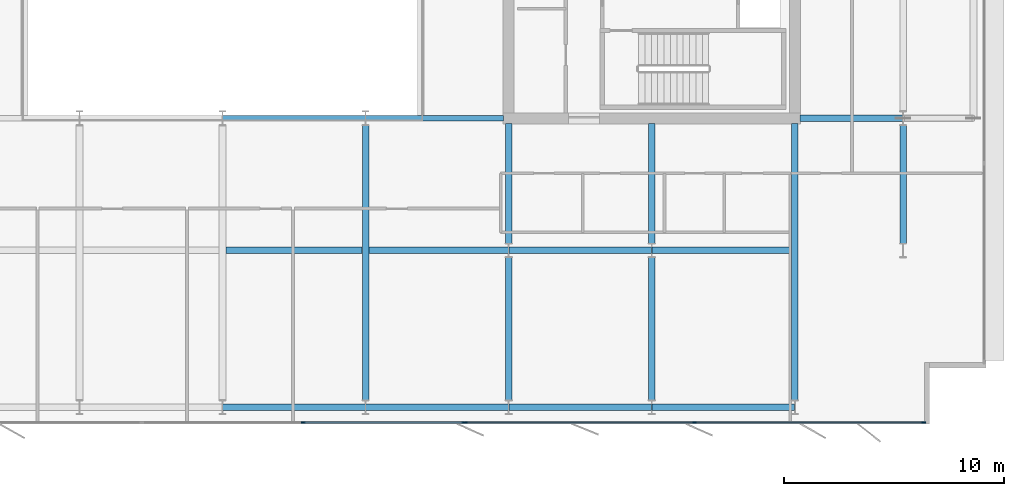
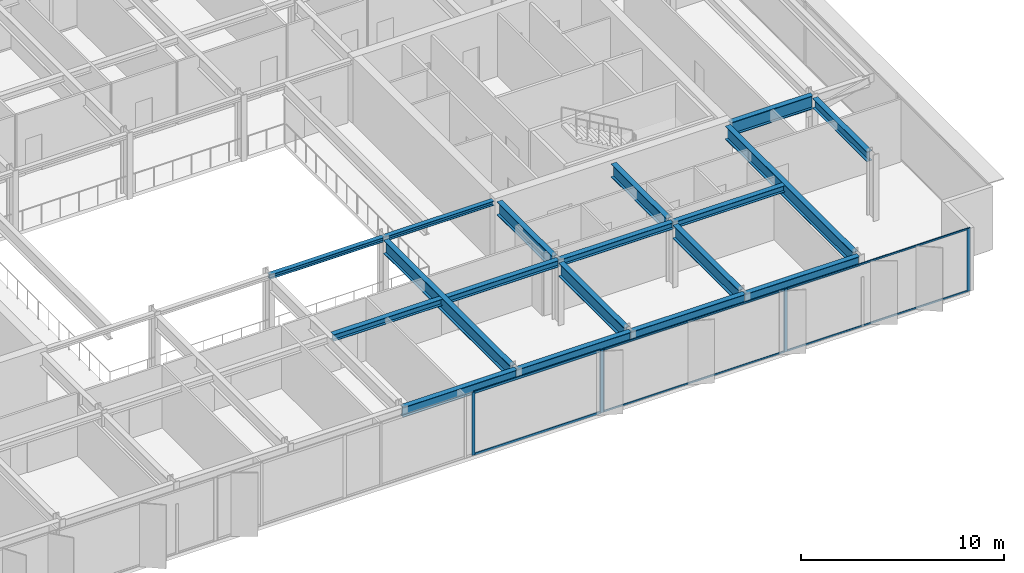
# One storey, part 6 of 20: 18 beams, 11 members, 2 elements without a shape of their own.
"""IFC4 building model written with IfcOpenShell, lengths in metres."""

from ifc_helpers import new_model, si_unit, direction, frame, origin, origin_2d, place, context, subcontext, project, spatial, rectangle, i_section, extrude, material, layer, layer_set, material_profile, profile_set, type_object, element, aggregate, save


model = new_model("IFC4")

# Units and contexts
model_context = context("Model", 3, precision=1e-05, world=origin(), true_north=direction((0.0, 1.0)))
body_context = subcontext(model_context, "Body", "Model", "MODEL_VIEW")
ifc_project = project(units=[si_unit("LENGTHUNIT", "METRE"), si_unit("AREAUNIT", "SQUARE_METRE"), si_unit("VOLUMEUNIT", "CUBIC_METRE"), si_unit("PLANEANGLEUNIT", "RADIAN"), si_unit("MASSUNIT", "GRAM", prefix="KILO")], contexts=[model_context])

# Site, building, storey
site_placement = place(None, origin())
site = spatial("IfcSite", under=ifc_project, at=site_placement, CompositionType="ELEMENT")
building_placement = place(site_placement, origin())
building = spatial("IfcBuilding", under=site, at=building_placement, Name="Putna Gate Headquarters", CompositionType="ELEMENT")
storey_placement = place(building_placement, frame((0.0, 0.0, 294.39990234375)))
storey = spatial("IfcBuildingStorey", under=building, at=storey_placement, Name="L74", CompositionType="ELEMENT", Elevation=294.39990234375)

# Beams
ifc_material_1 = material(Name="Steel S355J2", Category="steel")
ifc_material_profile_1 = material_profile(ifc_material_1, i_section(OverallWidth=0.260009765625, OverallDepth=0.260009765625, WebThickness=0.010009765625, FlangeThickness=0.017578125, at=origin_2d()), Name="Steel S355J2")
ifc_profile_set_1 = profile_set([ifc_material_profile_1], Name="Steel S355J2")
beam_type_1 = type_object("IfcBeamType", Name="BM-ATRIUM-HEB260", PredefinedType="BEAM", material=ifc_profile_set_1)
beam_1_placement = place(storey_placement, frame((39.006103515625, 19.0, 3.658203125), z_axis=(1.0, 0.0, 0.0), x_axis=(0.0, 1.0, 0.0)))
element("IfcBeam", 1, at=beam_1_placement, inside=storey, type_object=beam_type_1, Name="L74 Atrium Edge Beam AS3", PredefinedType="BEAM", context=body_context, shape_type="SweptSolid", body=[
    extrude(i_section(OverallWidth=0.260009765625, OverallDepth=0.260009765625, WebThickness=0.010009765625, FlangeThickness=0.017578125, at=origin_2d()), origin(), (0.0, 0.0, 1.0), 6.48779296875),
])
beam_2_placement = place(storey_placement, frame((45.506103515625, 19.0, 3.658203125), z_axis=(1.0, 0.0, 0.0), x_axis=(0.0, 1.0, 0.0)))
element("IfcBeam", 2, at=beam_2_placement, inside=storey, type_object=beam_type_1, Name="L74 Atrium Edge Beam AS4", PredefinedType="BEAM", context=body_context, shape_type="SweptSolid", body=[
    extrude(i_section(OverallWidth=0.260009765625, OverallDepth=0.260009765625, WebThickness=0.010009765625, FlangeThickness=0.017578125, at=origin_2d()), origin(), (0.0, 0.0, 1.0), 6.2587890625),
])
ifc_material_profile_2 = material_profile(ifc_material_1, i_section(OverallWidth=0.300048828125, OverallDepth=0.800048828125, WebThickness=0.017578125, FlangeThickness=0.032958984375, at=origin_2d()), Name="Steel S355J2")
ifc_profile_set_2 = profile_set([ifc_material_profile_2], Name="Steel S355J2")
beam_type_2 = type_object("IfcBeamType", Name="BM-GIRD-P-HEB800", PredefinedType="USERDEFINED", material=ifc_profile_set_2)
beam_3_placement = place(storey_placement, frame((65.235107421875, 19.0, 3.38818359375), z_axis=(1.0, 0.0, 0.0), x_axis=(0.0, 1.0, 0.0)))
element("IfcBeam", 3, at=beam_3_placement, inside=storey, type_object=beam_type_2, Name="L74 East Wing Girder Y19", ObjectType="GIRDER", PredefinedType="USERDEFINED", context=body_context, shape_type="SweptSolid", body=[
    extrude(i_section(OverallWidth=0.300048828125, OverallDepth=0.800048828125, WebThickness=0.017578125, FlangeThickness=0.032958984375, at=origin_2d()), origin(), (0.0, 0.0, 1.0), 4.678955078125),
])
beam_4_placement = place(storey_placement, frame((45.5, 6.201904296875, 3.38818359375), z_axis=(0.0, 1.0, 0.0), x_axis=(-1.0, 0.0, 0.0)))
element("IfcBeam", 4, at=beam_4_placement, inside=storey, type_object=beam_type_2, Name="L74 South Primary Girder X45", ObjectType="GIRDER", PredefinedType="USERDEFINED", context=body_context, shape_type="SweptSolid", body=[
    extrude(i_section(OverallWidth=0.300048828125, OverallDepth=0.800048828125, WebThickness=0.017578125, FlangeThickness=0.032958984375, at=origin_2d()), origin(), (0.0, 0.0, 1.0), 12.47607421875),
])
beam_5_placement = place(storey_placement, frame((52.0, 6.201904296875, 3.38818359375), z_axis=(0.0, 1.0, 0.0), x_axis=(-1.0, 0.0, 0.0)))
element("IfcBeam", 5, at=beam_5_placement, inside=storey, type_object=beam_type_2, Name="L74 South Primary Girder X52-1", ObjectType="GIRDER", PredefinedType="USERDEFINED", context=body_context, shape_type="SweptSolid", body=[
    extrude(i_section(OverallWidth=0.300048828125, OverallDepth=0.800048828125, WebThickness=0.017578125, FlangeThickness=0.032958984375, at=origin_2d()), origin(), (0.0, 0.0, 1.0), 6.47607421875),
])
beam_6_placement = place(storey_placement, frame((52.0, 13.322021484375, 3.38818359375), z_axis=(0.0, 1.0, 0.0), x_axis=(-1.0, 0.0, 0.0)))
element("IfcBeam", 6, at=beam_6_placement, inside=storey, type_object=beam_type_2, Name="L74 South Primary Girder X52-2", ObjectType="GIRDER", PredefinedType="USERDEFINED", context=body_context, shape_type="SweptSolid", body=[
    extrude(i_section(OverallWidth=0.300048828125, OverallDepth=0.800048828125, WebThickness=0.017578125, FlangeThickness=0.032958984375, at=origin_2d()), origin(), (0.0, 0.0, 1.0), 5.44287109375),
])
beam_7_placement = place(storey_placement, frame((58.5, 6.201904296875, 3.38818359375), z_axis=(0.0, 1.0, 0.0), x_axis=(-1.0, 0.0, 0.0)))
element("IfcBeam", 7, at=beam_7_placement, inside=storey, type_object=beam_type_2, Name="L74 South Primary Girder X58-1", ObjectType="GIRDER", PredefinedType="USERDEFINED", context=body_context, shape_type="SweptSolid", body=[
    extrude(i_section(OverallWidth=0.300048828125, OverallDepth=0.800048828125, WebThickness=0.017578125, FlangeThickness=0.032958984375, at=origin_2d()), origin(), (0.0, 0.0, 1.0), 6.47607421875),
])
beam_8_placement = place(storey_placement, frame((58.5, 13.322021484375, 3.38818359375), z_axis=(0.0, 1.0, 0.0), x_axis=(-1.0, 0.0, 0.0)))
element("IfcBeam", 8, at=beam_8_placement, inside=storey, type_object=beam_type_2, Name="L74 South Primary Girder X58-2", ObjectType="GIRDER", PredefinedType="USERDEFINED", context=body_context, shape_type="SweptSolid", body=[
    extrude(i_section(OverallWidth=0.300048828125, OverallDepth=0.800048828125, WebThickness=0.017578125, FlangeThickness=0.032958984375, at=origin_2d()), origin(), (0.0, 0.0, 1.0), 5.44287109375),
])
beam_9_placement = place(storey_placement, frame((65.0, 6.201904296875, 3.38818359375), z_axis=(0.0, 1.0, 0.0), x_axis=(-1.0, 0.0, 0.0)))
element("IfcBeam", 9, at=beam_9_placement, inside=storey, type_object=beam_type_2, Name="L74 South Primary Girder X65", ObjectType="GIRDER", PredefinedType="USERDEFINED", context=body_context, shape_type="SweptSolid", body=[
    extrude(i_section(OverallWidth=0.300048828125, OverallDepth=0.800048828125, WebThickness=0.017578125, FlangeThickness=0.032958984375, at=origin_2d()), origin(), (0.0, 0.0, 1.0), 12.56298828125),
])
ifc_material_profile_3 = material_profile(ifc_material_1, i_section(OverallWidth=0.300048828125, OverallDepth=0.389892578125, WebThickness=0.010986328125, FlangeThickness=0.01904296875, at=origin_2d()), Name="Steel S355J2")
ifc_profile_set_3 = profile_set([ifc_material_profile_3], Name="Steel S355J2")
beam_type_3 = type_object("IfcBeamType", Name="BM-SEC-Z5-HEA400", PredefinedType="BEAM", material=ifc_profile_set_3)
beam_10_placement = place(storey_placement, frame((39.154052734375, 13.0, 3.593017578125), z_axis=(1.0, 0.0, 0.0), x_axis=(0.0, 1.0, 0.0)))
element("IfcBeam", 10, at=beam_10_placement, inside=storey, type_object=beam_type_3, Name="L74 South Secondary Beam 5", PredefinedType="BEAM", context=body_context, shape_type="SweptSolid", body=[
    extrude(i_section(OverallWidth=0.300048828125, OverallDepth=0.389892578125, WebThickness=0.010986328125, FlangeThickness=0.01904296875, at=origin_2d()), origin(), (0.0, 0.0, 1.0), 6.19189453125),
])
beam_11_placement = place(storey_placement, frame((45.654052734375, 13.0, 3.593017578125), z_axis=(1.0, 0.0, 0.0), x_axis=(0.0, 1.0, 0.0)))
element("IfcBeam", 11, at=beam_11_placement, inside=storey, type_object=beam_type_3, Name="L74 South Secondary Beam 6", PredefinedType="BEAM", context=body_context, shape_type="SweptSolid", body=[
    extrude(i_section(OverallWidth=0.300048828125, OverallDepth=0.389892578125, WebThickness=0.010986328125, FlangeThickness=0.01904296875, at=origin_2d()), origin(), (0.0, 0.0, 1.0), 6.33984375),
])
beam_12_placement = place(storey_placement, frame((52.006103515625, 13.0, 3.593017578125), z_axis=(1.0, 0.0, 0.0), x_axis=(0.0, 1.0, 0.0)))
element("IfcBeam", 12, at=beam_12_placement, inside=storey, type_object=beam_type_3, Name="L74 South Secondary Beam 7", PredefinedType="BEAM", context=body_context, shape_type="SweptSolid", body=[
    extrude(i_section(OverallWidth=0.300048828125, OverallDepth=0.389892578125, WebThickness=0.010986328125, FlangeThickness=0.01904296875, at=origin_2d()), origin(), (0.0, 0.0, 1.0), 6.48779296875),
])
beam_13_placement = place(storey_placement, frame((58.506103515625, 13.0, 3.593017578125), z_axis=(1.0, 0.0, 0.0), x_axis=(0.0, 1.0, 0.0)))
element("IfcBeam", 13, at=beam_13_placement, inside=storey, type_object=beam_type_3, Name="L74 South Secondary Beam 8", PredefinedType="BEAM", context=body_context, shape_type="SweptSolid", body=[
    extrude(i_section(OverallWidth=0.300048828125, OverallDepth=0.389892578125, WebThickness=0.010986328125, FlangeThickness=0.01904296875, at=origin_2d()), origin(), (0.0, 0.0, 1.0), 6.33984375),
])
ifc_material_profile_4 = material_profile(ifc_material_1, i_section(OverallWidth=0.300048828125, OverallDepth=0.590087890625, WebThickness=0.012939453125, FlangeThickness=0.02490234375, at=origin_2d()), Name="Steel S355J2")
ifc_profile_set_4 = profile_set([ifc_material_profile_4], Name="Steel S355J2")
beam_type_4 = type_object("IfcBeamType", Name="BM-SPAN-Z4-HEA600", PredefinedType="SPANDREL", material=ifc_profile_set_4)
for number, where, z_axis, x_axis, name in (
    (14, (39.006103515625, 5.8798828125, 3.4931640625), (1.0, 0.0, 0.0), (0.0, 1.0, 0.0), "L74 S Perimeter Spandrel 5"),
    (15, (45.506103515625, 5.8798828125, 3.4931640625), (1.0, 0.0, 0.0), (0.0, 1.0, 0.0), "L74 S Perimeter Spandrel 6"),
    (16, (52.006103515625, 5.8798828125, 3.4931640625), (1.0, 0.0, 0.0), (0.0, 1.0, 0.0), "L74 S Perimeter Spandrel 7"),
    (17, (58.506103515625, 5.8798828125, 3.4931640625), (1.0, 0.0, 0.0), (0.0, 1.0, 0.0), "L74 S Perimeter Spandrel 8"),
):
    element("IfcBeam", number, at=place(storey_placement, frame(where, z_axis=z_axis, x_axis=x_axis)), inside=storey, type_object=beam_type_4, Name=name, PredefinedType="SPANDREL", context=body_context, shape_type="SweptSolid", body=[
        extrude(i_section(OverallWidth=0.300048828125, OverallDepth=0.590087890625, WebThickness=0.012939453125, FlangeThickness=0.02490234375, at=origin_2d()), origin(), (0.0, 0.0, 1.0), 6.48779296875),
    ])
beam_14_placement = place(storey_placement, frame((69.919921875, 13.322021484375, 3.4931640625), z_axis=(0.0, 1.0, 0.0), x_axis=(-1.0, 0.0, 0.0)))
element("IfcBeam", 18, at=beam_14_placement, inside=storey, type_object=beam_type_4, Name="L74 E End Spandrel 1", PredefinedType="SPANDREL", context=body_context, shape_type="SweptSolid", body=[
    extrude(i_section(OverallWidth=0.300048828125, OverallDepth=0.590087890625, WebThickness=0.012939453125, FlangeThickness=0.02490234375, at=origin_2d()), origin(), (0.0, 0.0, 1.0), 5.35595703125),
])

# Curtain wall, members
ifc_material_2 = material(Name="Anodised bronze aluminium curtain wall", Category="aluminium")
ifc_layer_1 = layer(ifc_material_2, 0.179931640625)
ifc_layer_set_1 = layer_set([ifc_layer_1], Name="Anodised bronze aluminium curtain wall")
curtain_wall_type_1 = type_object("IfcCurtainWallType", Name="CW-SYS-Z5", PredefinedType="USERDEFINED", material=ifc_layer_set_1)
curtain_wall_1_placement = place(storey_placement, origin())
curtain_wall_1 = element("IfcCurtainWall", 19, at=curtain_wall_1_placement, inside=storey, type_object=curtain_wall_type_1, Name="L74 South East Curtain Wall", ObjectType="STICK CURTAIN WALL", PredefinedType="USERDEFINED")
ifc_material_3 = material(Name="Anodised bronze aluminium EN AW-6060", Category="aluminium")
ifc_material_profile_5 = material_profile(ifc_material_3, rectangle(XDim=0.070068359375, YDim=0.179931640625, at=origin_2d()), Name="Anodised bronze aluminium EN AW-6060")
ifc_profile_set_5 = profile_set([ifc_material_profile_5], Name="Anodised bronze aluminium EN AW-6060")
member_type_1 = type_object("IfcMemberType", Name="MULL-CWM-5", PredefinedType="MULLION", material=ifc_profile_set_5)
member_1_placement = place(storey_placement, frame((50.034912109375, 5.179931640625, 0.0), z_axis=(0.0, 0.0, 1.0), x_axis=(0.0, 1.0, 0.0)))
member_1 = element("IfcMember", 20, at=member_1_placement, type_object=member_type_1, Name="CWS-5 mullion 1", PredefinedType="MULLION", context=body_context, shape_type="SweptSolid", body=[
    extrude(rectangle(XDim=0.070068359375, YDim=0.179931640625, at=origin_2d()), origin(), (0.0, 0.0, 1.0), 3.7880859375),
])
member_2_placement = place(storey_placement, frame((60.4423828125, 5.179931640625, 0.0), z_axis=(0.0, 0.0, 1.0), x_axis=(0.0, 1.0, 0.0)))
member_2 = element("IfcMember", 21, at=member_2_placement, type_object=member_type_1, Name="CWS-5 mullion 2", PredefinedType="MULLION", context=body_context, shape_type="SweptSolid", body=[
    extrude(rectangle(XDim=0.070068359375, YDim=0.179931640625, at=origin_2d()), origin(), (0.0, 0.0, 1.0), 3.7880859375),
])
member_3_placement = place(storey_placement, frame((70.85009765625, 5.179931640625, 0.0), z_axis=(0.0, 0.0, 1.0), x_axis=(0.0, 1.0, 0.0)))
member_3 = element("IfcMember", 22, at=member_3_placement, type_object=member_type_1, Name="CWS-5 mullion 3", PredefinedType="MULLION", context=body_context, shape_type="SweptSolid", body=[
    extrude(rectangle(XDim=0.070068359375, YDim=0.179931640625, at=origin_2d()), origin(), (0.0, 0.0, 1.0), 3.7880859375),
])

ifc_layer_2 = layer(ifc_material_2, 0.179931640625)
ifc_layer_set_2 = layer_set([ifc_layer_2], Name="Anodised bronze aluminium curtain wall")
curtain_wall_type_2 = type_object("IfcCurtainWallType", Name="CW-SYS-ATR", PredefinedType="USERDEFINED", material=ifc_layer_set_2)
curtain_wall_2_placement = place(storey_placement, origin())
curtain_wall_2 = element("IfcCurtainWall", 23, at=curtain_wall_2_placement, inside=storey, type_object=curtain_wall_type_2, Name="L74 South Atrium Clear Glazing", ObjectType="ATRIUM GLAZING", PredefinedType="USERDEFINED")
ifc_material_profile_6 = material_profile(ifc_material_3, rectangle(XDim=0.070068359375, YDim=0.179931640625, at=origin_2d()), Name="Anodised bronze aluminium EN AW-6060")
ifc_profile_set_6 = profile_set([ifc_material_profile_6], Name="Anodised bronze aluminium EN AW-6060")
member_type_2 = type_object("IfcMemberType", Name="MULL-CWM-AT", PredefinedType="MULLION", material=ifc_profile_set_6)
member_4_placement = place(storey_placement, frame((42.666748046875, 5.179931640625, 0.0), z_axis=(0.0, 0.0, 1.0), x_axis=(0.0, 1.0, 0.0)))
member_4 = element("IfcMember", 24, at=member_4_placement, type_object=member_type_2, Name="CWS-AT mullion 3", PredefinedType="MULLION", context=body_context, shape_type="SweptSolid", body=[
    extrude(rectangle(XDim=0.070068359375, YDim=0.179931640625, at=origin_2d()), origin(), (0.0, 0.0, 1.0), 3.7880859375),
])
member_5_placement = place(storey_placement, frame((49.965087890625, 5.179931640625, 0.0), z_axis=(0.0, 0.0, 1.0), x_axis=(0.0, 1.0, 0.0)))
member_5 = element("IfcMember", 25, at=member_5_placement, type_object=member_type_2, Name="CWS-AT mullion 4", PredefinedType="MULLION", context=body_context, shape_type="SweptSolid", body=[
    extrude(rectangle(XDim=0.070068359375, YDim=0.179931640625, at=origin_2d()), origin(), (0.0, 0.0, 1.0), 3.7880859375),
])

# Member
ifc_material_profile_7 = material_profile(ifc_material_3, rectangle(XDim=0.06005859375, YDim=0.10009765625, at=origin_2d()), Name="Anodised bronze aluminium EN AW-6060")
ifc_profile_set_7 = profile_set([ifc_material_profile_7], Name="Anodised bronze aluminium EN AW-6060")
member_type_3 = type_object("IfcMemberType", Name="TRAN-CWT-5", PredefinedType="USERDEFINED", material=ifc_profile_set_7)
member_6_placement = place(storey_placement, frame((50.070068359375, 5.179931640625, 0.030029296875), z_axis=(1.0, 0.0, 0.0), x_axis=(0.0, 1.0, 0.0)))
member_6 = element("IfcMember", 26, at=member_6_placement, type_object=member_type_3, Name="CWS-5 transom 1.1", ObjectType="TRANSOM", PredefinedType="USERDEFINED", context=body_context, shape_type="SweptSolid", body=[
    extrude(rectangle(XDim=0.06005859375, YDim=0.10009765625, at=origin_2d()), origin(), (0.0, 0.0, 1.0), 10.33740234375),
])

member_7_placement = place(storey_placement, frame((50.070068359375, 5.179931640625, 3.758056640625), z_axis=(1.0, 0.0, 0.0), x_axis=(0.0, 1.0, 0.0)))
member_7 = element("IfcMember", 27, at=member_7_placement, type_object=member_type_3, Name="CWS-5 transom 1.2", ObjectType="TRANSOM", PredefinedType="USERDEFINED", context=body_context, shape_type="SweptSolid", body=[
    extrude(rectangle(XDim=0.06005859375, YDim=0.10009765625, at=origin_2d()), origin(), (0.0, 0.0, 1.0), 10.33740234375),
])

member_8_placement = place(storey_placement, frame((60.4775390625, 5.179931640625, 0.030029296875), z_axis=(1.0, 0.0, 0.0), x_axis=(0.0, 1.0, 0.0)))
member_8 = element("IfcMember", 28, at=member_8_placement, type_object=member_type_3, Name="CWS-5 transom 2.1", ObjectType="TRANSOM", PredefinedType="USERDEFINED", context=body_context, shape_type="SweptSolid", body=[
    extrude(rectangle(XDim=0.06005859375, YDim=0.10009765625, at=origin_2d()), origin(), (0.0, 0.0, 1.0), 10.33740234375),
])

member_9_placement = place(storey_placement, frame((60.4775390625, 5.179931640625, 3.758056640625), z_axis=(1.0, 0.0, 0.0), x_axis=(0.0, 1.0, 0.0)))
member_9 = element("IfcMember", 29, at=member_9_placement, type_object=member_type_3, Name="CWS-5 transom 2.2", ObjectType="TRANSOM", PredefinedType="USERDEFINED", context=body_context, shape_type="SweptSolid", body=[
    extrude(rectangle(XDim=0.06005859375, YDim=0.10009765625, at=origin_2d()), origin(), (0.0, 0.0, 1.0), 10.33740234375),
])

aggregate(curtain_wall_1, [member_1, member_2, member_3, member_6, member_7, member_8, member_9])

ifc_material_profile_8 = material_profile(ifc_material_3, rectangle(XDim=0.070068359375, YDim=0.139892578125, at=origin_2d()), Name="Anodised bronze aluminium EN AW-6060")
ifc_profile_set_8 = profile_set([ifc_material_profile_8], Name="Anodised bronze aluminium EN AW-6060")
member_type_4 = type_object("IfcMemberType", Name="TRAN-CWT-AT", PredefinedType="USERDEFINED", material=ifc_profile_set_8)
member_10_placement = place(storey_placement, frame((42.70166015625, 5.179931640625, 0.03515625), z_axis=(1.0, 0.0, 0.0), x_axis=(0.0, 1.0, 0.0)))
member_10 = element("IfcMember", 30, at=member_10_placement, type_object=member_type_4, Name="CWS-AT transom 3.1", ObjectType="TRANSOM", PredefinedType="USERDEFINED", context=body_context, shape_type="SweptSolid", body=[
    extrude(rectangle(XDim=0.070068359375, YDim=0.139892578125, at=origin_2d()), origin(), (0.0, 0.0, 1.0), 7.228271484375),
])

member_11_placement = place(storey_placement, frame((42.70166015625, 5.179931640625, 3.753173828125), z_axis=(1.0, 0.0, 0.0), x_axis=(0.0, 1.0, 0.0)))
member_11 = element("IfcMember", 31, at=member_11_placement, type_object=member_type_4, Name="CWS-AT transom 3.2", ObjectType="TRANSOM", PredefinedType="USERDEFINED", context=body_context, shape_type="SweptSolid", body=[
    extrude(rectangle(XDim=0.070068359375, YDim=0.139892578125, at=origin_2d()), origin(), (0.0, 0.0, 1.0), 7.228271484375),
])

aggregate(curtain_wall_2, [member_4, member_5, member_10, member_11])

save(model, "model.ifc")
